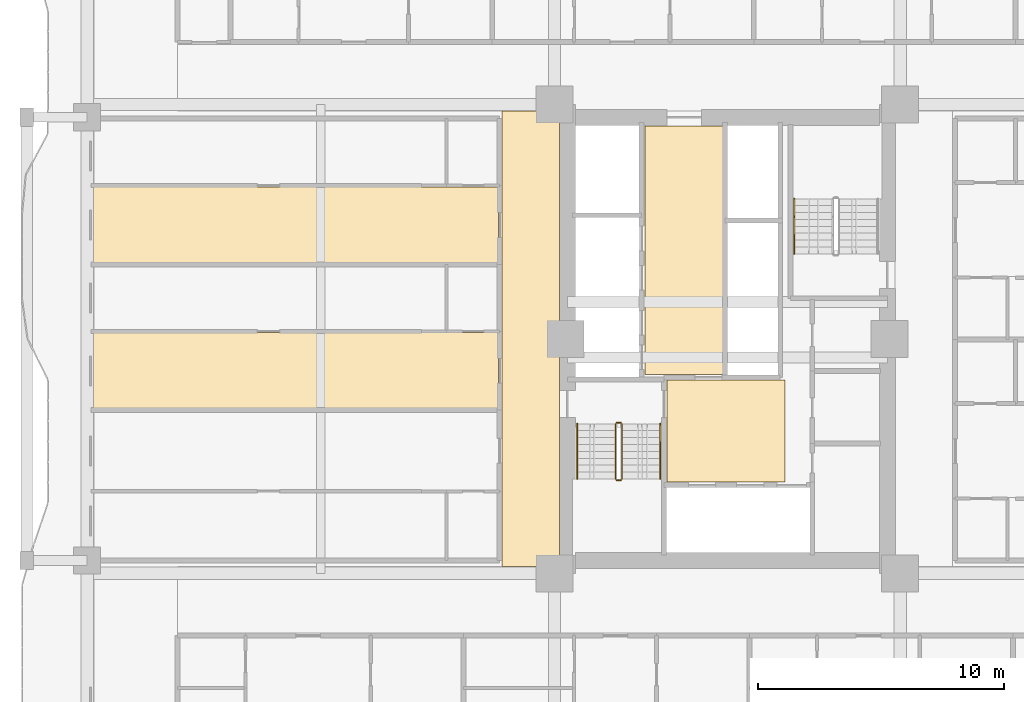
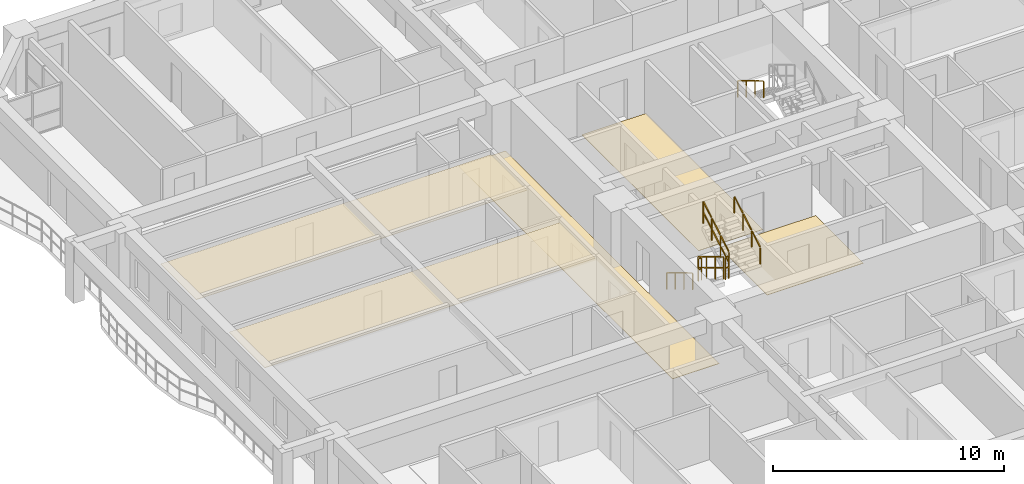
# One storey, part 24 of 27: 7 railings, 5 coverings.
"""IFC4 building model written with IfcOpenShell, lengths in metres."""

from ifc_helpers import new_model, si_unit, direction, frame, origin, origin_2d, place, context, subcontext, project, spatial, polyline, rectangle, outline, extrude, material, layer, layer_set, type_object, element, save


model = new_model("IFC4")

# Units and contexts
model_context = context("Model", 3, precision=1e-05, world=origin(), true_north=direction((0.0, 1.0)))
body_context = subcontext(model_context, "Body", "Model", "MODEL_VIEW")
ifc_project = project(units=[si_unit("LENGTHUNIT", "METRE"), si_unit("AREAUNIT", "SQUARE_METRE"), si_unit("VOLUMEUNIT", "CUBIC_METRE"), si_unit("PLANEANGLEUNIT", "RADIAN"), si_unit("MASSUNIT", "GRAM", prefix="KILO")], contexts=[model_context])

# Site, building, storey
site_placement = place(None, origin())
site = spatial("IfcSite", under=ifc_project, at=site_placement, CompositionType="ELEMENT")
building_placement = place(site_placement, origin())
building = spatial("IfcBuilding", under=site, at=building_placement, Name="Saelheon Loggia Tower", CompositionType="ELEMENT")
storey_placement = place(building_placement, frame((0.0, 0.0, 34.39990234375)))
storey = spatial("IfcBuildingStorey", under=building, at=storey_placement, Name="L10", CompositionType="ELEMENT", Elevation=34.39990234375)

# Coverings
ifc_material_1 = material(Name="Mineral-Fibre Acoustic Ceiling Board", Category="gypsum")
ifc_layer_1 = layer(ifc_material_1, 0.02490234375)
ifc_layer_set_1 = layer_set([ifc_layer_1], Name="Mineral-Fibre Acoustic Ceiling Board")
covering_type_1 = type_object("IfcCoveringType", Name="Cov_Ceiling_Acoustic", PredefinedType="CEILING", material=ifc_layer_set_1)
covering_1_placement = place(storey_placement, frame((0.0, 0.0, 2.53515625)))
element("IfcCovering", 1, at=covering_1_placement, inside=storey, type_object=covering_type_1, Name="L10 Acoustic Suspended Ceiling", PredefinedType="CEILING", context=body_context, shape_type="SweptSolid", body=[
    extrude(outline(polyline([(12.199951171875, 24.153076171875), (28.699951171875, 24.153076171875), (28.699951171875, 27.251708984375), (12.199951171875, 27.251708984375), (12.199951171875, 24.153076171875)])), origin(), (0.0, 0.0, 1.0), 0.02490234375),
])
covering_2_placement = place(storey_placement, frame((0.0, 0.0, 2.53515625)))
element("IfcCovering", 2, at=covering_2_placement, inside=storey, type_object=covering_type_1, Name="L10 Acoustic Suspended Ceiling", PredefinedType="CEILING", context=body_context, shape_type="SweptSolid", body=[
    extrude(outline(polyline([(12.199951171875, 30.076416015625), (28.699951171875, 30.076416015625), (28.699951171875, 33.17529296875), (12.199951171875, 33.17529296875), (12.199951171875, 30.076416015625)])), origin(), (0.0, 0.0, 1.0), 0.02490234375),
])
ifc_material_2 = material(Name="Vitrified Porcelain Floor Tile", Category="ceramic")
ifc_layer_2 = layer(ifc_material_2, 0.02001953125)
ifc_layer_set_2 = layer_set([ifc_layer_2], Name="Vitrified Porcelain Floor Tile")
covering_type_2 = type_object("IfcCoveringType", Name="Cov_Floor_Porcelain", PredefinedType="FLOORING", material=ifc_layer_set_2)
covering_3_placement = place(storey_placement, origin())
element("IfcCovering", 3, at=covering_3_placement, inside=storey, type_object=covering_type_2, Name="L10 Corridor Porcelain Flooring", PredefinedType="FLOORING", context=body_context, shape_type="SweptSolid", body=[
    extrude(outline(polyline([(35.550048828125, 21.179931640625), (40.35009765625, 21.179931640625), (40.35009765625, 25.320068359375), (35.550048828125, 25.320068359375), (35.550048828125, 21.179931640625)])), origin(), (0.0, 0.0, 1.0), 0.02001953125),
])
covering_4_placement = place(storey_placement, origin())
element("IfcCovering", 4, at=covering_4_placement, inside=storey, type_object=covering_type_2, Name="L10 Corridor Porcelain Flooring", PredefinedType="FLOORING", context=body_context, shape_type="SweptSolid", body=[
    extrude(outline(polyline([(34.64990234375, 25.550048828125), (37.85009765625, 25.550048828125), (37.85009765625, 35.64990234375), (34.64990234375, 35.64990234375), (34.64990234375, 25.550048828125)])), origin(), (0.0, 0.0, 1.0), 0.02001953125),
])
covering_5_placement = place(storey_placement, origin())
element("IfcCovering", 5, at=covering_5_placement, inside=storey, type_object=covering_type_2, Name="L10 Corridor Porcelain Flooring", PredefinedType="FLOORING", context=body_context, shape_type="SweptSolid", body=[
    extrude(outline(polyline([(28.85009765625, 17.75), (31.179931640625, 17.75), (31.179931640625, 36.25), (28.85009765625, 36.25), (28.85009765625, 17.75)])), origin(), (0.0, 0.0, 1.0), 0.02001953125),
])

# Railings
ifc_material_3 = material(Name="Galvanised Steel S275 Stairwell Guardrail", Category="steel")
railing_type_1 = type_object("IfcRailingType", Name="Guard_StairWell_RL_STG", PredefinedType="GUARDRAIL", material=ifc_material_3)
railing_1_placement = place(storey_placement, frame((33.4599609375, 23.550048828125, 0.166748046875)))
element("IfcRailing", 6, at=railing_1_placement, inside=storey, type_object=railing_type_1, Name="L10 ST1 stair guard 1", PredefinedType="GUARDRAIL", context=body_context, shape_type="SweptSolid", body=[
    extrude(rectangle(XDim=0.048095703125, YDim=0.048095703125, at=origin_2d()), frame((0.0, -0.028564453125, 1.19287109375), z_axis=(0.0, -0.859305625298, 0.511462454469), x_axis=(1.0, 0.0, 0.0)), (0.0, 0.0, 1.0), 0.802490234375),
    extrude(rectangle(XDim=0.048095703125, YDim=0.048095703125, at=origin_2d()), frame((0.0, -0.028564453125, 0.616943359375), z_axis=(0.0, -0.859305625298, 0.511462454469), x_axis=(1.0, 0.0, 0.0)), (0.0, 0.0, 1.0), 0.802490234375),
    extrude(rectangle(XDim=0.048095703125, YDim=0.048095703125, at=origin_2d()), frame((0.0, -0.775146484375, 1.63720703125), z_axis=(0.0, -0.859305625298, 0.511462454469), x_axis=(1.0, 0.0, 0.0)), (0.0, 0.0, 1.0), 0.802490234375),
    extrude(rectangle(XDim=0.048095703125, YDim=0.048095703125, at=origin_2d()), frame((0.0, -0.775146484375, 1.061279296875), z_axis=(0.0, -0.859305625298, 0.511462454469), x_axis=(1.0, 0.0, 0.0)), (0.0, 0.0, 1.0), 0.802490234375),
    extrude(rectangle(XDim=0.048095703125, YDim=0.048095703125, at=origin_2d()), frame((0.0, -1.52197265625, 2.081787109375), z_axis=(0.0, -0.859305625298, 0.511462454469), x_axis=(1.0, 0.0, 0.0)), (0.0, 0.0, 1.0), 0.802490234375),
    extrude(rectangle(XDim=0.048095703125, YDim=0.048095703125, at=origin_2d()), frame((0.0, -1.52197265625, 1.505859375), z_axis=(0.0, -0.859305625298, 0.511462454469), x_axis=(1.0, 0.0, 0.0)), (0.0, 0.0, 1.0), 0.802490234375),
    extrude(rectangle(XDim=0.0419921875, YDim=0.0419921875, at=origin_2d()), origin(), (0.0, 0.0, 1.0), 1.14794921875),
    extrude(rectangle(XDim=0.0419921875, YDim=0.0419921875, at=origin_2d()), frame((0.0, -0.74658203125, 0.4443359375)), (0.0, 0.0, 1.0), 1.14794921875),
    extrude(rectangle(XDim=0.0419921875, YDim=0.0419921875, at=origin_2d()), frame((0.0, -1.493408203125, 0.888916015625)), (0.0, 0.0, 1.0), 1.14794921875),
    extrude(rectangle(XDim=0.0419921875, YDim=0.0419921875, at=origin_2d()), frame((0.0, -2.239990234375, 1.333251953125)), (0.0, 0.0, 1.0), 1.14794921875),
])
railing_2_placement = place(storey_placement, frame((33.510009765625, 21.260009765625, 1.5)))
element("IfcRailing", 7, at=railing_2_placement, inside=storey, type_object=railing_type_1, Name="L10 ST1 stair guard 2", PredefinedType="GUARDRAIL", context=body_context, shape_type="SweptSolid", body=[
    extrude(rectangle(XDim=0.048095703125, YDim=0.048095703125, at=origin_2d()), frame((0.033203125, 0.0, 1.17578125), z_axis=(1.0, 0.0, 0.0), x_axis=(0.0, 1.0, 0.0)), (0.0, 0.0, 1.0), 0.093505859375),
    extrude(rectangle(XDim=0.048095703125, YDim=0.048095703125, at=origin_2d()), frame((0.033203125, 0.0, 0.60009765625), z_axis=(1.0, 0.0, 0.0), x_axis=(0.0, 1.0, 0.0)), (0.0, 0.0, 1.0), 0.093505859375),
    extrude(rectangle(XDim=0.0419921875, YDim=0.0419921875, at=origin_2d()), origin(), (0.0, 0.0, 1.0), 1.14794921875),
    extrude(rectangle(XDim=0.0419921875, YDim=0.0419921875, at=origin_2d()), frame((0.159912109375, 0.0, 0.0)), (0.0, 0.0, 1.0), 1.14794921875),
])
railing_3_placement = place(storey_placement, frame((33.719970703125, 21.31005859375, 1.666748046875)))
element("IfcRailing", 8, at=railing_3_placement, inside=storey, type_object=railing_type_1, Name="L10 ST1 stair guard 3", PredefinedType="GUARDRAIL", context=body_context, shape_type="SweptSolid", body=[
    extrude(rectangle(XDim=0.048095703125, YDim=0.048095703125, at=origin_2d()), frame((0.0, 0.028564453125, 1.19287109375), z_axis=(0.0, 0.859305625298, 0.511462454469), x_axis=(-1.0, 0.0, 0.0)), (0.0, 0.0, 1.0), 0.802490234375),
    extrude(rectangle(XDim=0.048095703125, YDim=0.048095703125, at=origin_2d()), frame((0.0, 0.028564453125, 0.616943359375), z_axis=(0.0, 0.859305625298, 0.511462454469), x_axis=(-1.0, 0.0, 0.0)), (0.0, 0.0, 1.0), 0.802490234375),
    extrude(rectangle(XDim=0.048095703125, YDim=0.048095703125, at=origin_2d()), frame((0.0, 0.775146484375, 1.63720703125), z_axis=(0.0, 0.859305625298, 0.511462454469), x_axis=(-1.0, 0.0, 0.0)), (0.0, 0.0, 1.0), 0.802490234375),
    extrude(rectangle(XDim=0.048095703125, YDim=0.048095703125, at=origin_2d()), frame((0.0, 0.775146484375, 1.061279296875), z_axis=(0.0, 0.859305625298, 0.511462454469), x_axis=(-1.0, 0.0, 0.0)), (0.0, 0.0, 1.0), 0.802490234375),
    extrude(rectangle(XDim=0.048095703125, YDim=0.048095703125, at=origin_2d()), frame((0.0, 1.52197265625, 2.081787109375), z_axis=(0.0, 0.859305625298, 0.511462454469), x_axis=(-1.0, 0.0, 0.0)), (0.0, 0.0, 1.0), 0.802490234375),
    extrude(rectangle(XDim=0.048095703125, YDim=0.048095703125, at=origin_2d()), frame((0.0, 1.52197265625, 1.505859375), z_axis=(0.0, 0.859305625298, 0.511462454469), x_axis=(-1.0, 0.0, 0.0)), (0.0, 0.0, 1.0), 0.802490234375),
    extrude(rectangle(XDim=0.0419921875, YDim=0.0419921875, at=origin_2d()), origin(), (0.0, 0.0, 1.0), 1.14794921875),
    extrude(rectangle(XDim=0.0419921875, YDim=0.0419921875, at=origin_2d()), frame((0.0, 0.74658203125, 0.4443359375)), (0.0, 0.0, 1.0), 1.14794921875),
    extrude(rectangle(XDim=0.0419921875, YDim=0.0419921875, at=origin_2d()), frame((0.0, 1.493408203125, 0.888916015625)), (0.0, 0.0, 1.0), 1.14794921875),
    extrude(rectangle(XDim=0.0419921875, YDim=0.0419921875, at=origin_2d()), frame((0.0, 2.239990234375, 1.333251953125)), (0.0, 0.0, 1.0), 1.14794921875),
])
railing_4_placement = place(storey_placement, frame((33.510009765625, 23.60009765625, 0.0)))
element("IfcRailing", 9, at=railing_4_placement, inside=storey, type_object=railing_type_1, Name="L10 ST1 stair guard 4", PredefinedType="GUARDRAIL", context=body_context, shape_type="SweptSolid", body=[
    extrude(rectangle(XDim=0.048095703125, YDim=0.048095703125, at=origin_2d()), frame((0.033203125, 0.0, 1.17578125), z_axis=(1.0, 0.0, 0.0), x_axis=(0.0, 1.0, 0.0)), (0.0, 0.0, 1.0), 0.093505859375),
    extrude(rectangle(XDim=0.048095703125, YDim=0.048095703125, at=origin_2d()), frame((0.033203125, 0.0, 0.60009765625), z_axis=(1.0, 0.0, 0.0), x_axis=(0.0, 1.0, 0.0)), (0.0, 0.0, 1.0), 0.093505859375),
    extrude(rectangle(XDim=0.0419921875, YDim=0.0419921875, at=origin_2d()), origin(), (0.0, 0.0, 1.0), 1.14794921875),
    extrude(rectangle(XDim=0.0419921875, YDim=0.0419921875, at=origin_2d()), frame((0.159912109375, 0.0, 0.0)), (0.0, 0.0, 1.0), 1.14794921875),
])
ifc_material_4 = material(Name="Stainless Steel 304 Tubular Handrail", Category="steel")
railing_type_2 = type_object("IfcRailingType", Name="Handrail_Stair_RL_HR1", PredefinedType="HANDRAIL", material=ifc_material_4)
railing_5_placement = place(storey_placement, frame((31.89990234375, 23.550048828125, 0.166748046875)))
element("IfcRailing", 10, at=railing_5_placement, inside=storey, type_object=railing_type_2, Name="L10 ST1 stair handrail 1", PredefinedType="HANDRAIL", context=body_context, shape_type="SweptSolid", body=[
    extrude(rectangle(XDim=0.048095703125, YDim=0.048095703125, at=origin_2d()), frame((0.0, -0.028564453125, 0.892822265625), z_axis=(0.0, -0.859305625298, 0.511462454469), x_axis=(1.0, 0.0, 0.0)), (0.0, 0.0, 1.0), 0.802490234375),
    extrude(rectangle(XDim=0.048095703125, YDim=0.048095703125, at=origin_2d()), frame((0.0, -0.775146484375, 1.337158203125), z_axis=(0.0, -0.859305625298, 0.511462454469), x_axis=(1.0, 0.0, 0.0)), (0.0, 0.0, 1.0), 0.802490234375),
    extrude(rectangle(XDim=0.048095703125, YDim=0.048095703125, at=origin_2d()), frame((0.0, -1.52197265625, 1.78173828125), z_axis=(0.0, -0.859305625298, 0.511462454469), x_axis=(1.0, 0.0, 0.0)), (0.0, 0.0, 1.0), 0.802490234375),
    extrude(rectangle(XDim=0.0419921875, YDim=0.0419921875, at=origin_2d()), origin(), (0.0, 0.0, 1.0), 0.847900390625),
    extrude(rectangle(XDim=0.0419921875, YDim=0.0419921875, at=origin_2d()), frame((0.0, -0.74658203125, 0.4443359375)), (0.0, 0.0, 1.0), 0.847900390625),
    extrude(rectangle(XDim=0.0419921875, YDim=0.0419921875, at=origin_2d()), frame((0.0, -1.493408203125, 0.888916015625)), (0.0, 0.0, 1.0), 0.847900390625),
    extrude(rectangle(XDim=0.0419921875, YDim=0.0419921875, at=origin_2d()), frame((0.0, -2.239990234375, 1.333251953125)), (0.0, 0.0, 1.0), 0.847900390625),
])
railing_6_placement = place(storey_placement, frame((35.280029296875, 21.31005859375, 1.666748046875)))
element("IfcRailing", 11, at=railing_6_placement, inside=storey, type_object=railing_type_2, Name="L10 ST1 stair handrail 2", PredefinedType="HANDRAIL", context=body_context, shape_type="SweptSolid", body=[
    extrude(rectangle(XDim=0.048095703125, YDim=0.048095703125, at=origin_2d()), frame((0.0, 0.028564453125, 0.892822265625), z_axis=(0.0, 0.859305625298, 0.511462454469), x_axis=(-1.0, 0.0, 0.0)), (0.0, 0.0, 1.0), 0.802490234375),
    extrude(rectangle(XDim=0.048095703125, YDim=0.048095703125, at=origin_2d()), frame((0.0, 0.775146484375, 1.337158203125), z_axis=(0.0, 0.859305625298, 0.511462454469), x_axis=(-1.0, 0.0, 0.0)), (0.0, 0.0, 1.0), 0.802490234375),
    extrude(rectangle(XDim=0.048095703125, YDim=0.048095703125, at=origin_2d()), frame((0.0, 1.52197265625, 1.78173828125), z_axis=(0.0, 0.859305625298, 0.511462454469), x_axis=(-1.0, 0.0, 0.0)), (0.0, 0.0, 1.0), 0.802490234375),
    extrude(rectangle(XDim=0.0419921875, YDim=0.0419921875, at=origin_2d()), origin(), (0.0, 0.0, 1.0), 0.847900390625),
    extrude(rectangle(XDim=0.0419921875, YDim=0.0419921875, at=origin_2d()), frame((0.0, 0.74658203125, 0.4443359375)), (0.0, 0.0, 1.0), 0.847900390625),
    extrude(rectangle(XDim=0.0419921875, YDim=0.0419921875, at=origin_2d()), frame((0.0, 1.493408203125, 0.888916015625)), (0.0, 0.0, 1.0), 0.847900390625),
    extrude(rectangle(XDim=0.0419921875, YDim=0.0419921875, at=origin_2d()), frame((0.0, 2.239990234375, 1.333251953125)), (0.0, 0.0, 1.0), 0.847900390625),
])
railing_7_placement = place(storey_placement, frame((40.719970703125, 32.68994140625, 1.666748046875)))
element("IfcRailing", 12, at=railing_7_placement, inside=storey, type_object=railing_type_2, Name="L10 ST2 stair handrail 2", PredefinedType="HANDRAIL", context=body_context, shape_type="SweptSolid", body=[
    extrude(rectangle(XDim=0.048095703125, YDim=0.048095703125, at=origin_2d()), frame((0.0, -0.028564453125, 0.892822265625), z_axis=(0.0, -0.859305625298, 0.511462454469), x_axis=(1.0, 0.0, 0.0)), (0.0, 0.0, 1.0), 0.802490234375),
    extrude(rectangle(XDim=0.048095703125, YDim=0.048095703125, at=origin_2d()), frame((0.0, -0.775146484375, 1.337158203125), z_axis=(0.0, -0.859305625298, 0.511462454469), x_axis=(1.0, 0.0, 0.0)), (0.0, 0.0, 1.0), 0.802490234375),
    extrude(rectangle(XDim=0.048095703125, YDim=0.048095703125, at=origin_2d()), frame((0.0, -1.52197265625, 1.78173828125), z_axis=(0.0, -0.859305625298, 0.511462454469), x_axis=(1.0, 0.0, 0.0)), (0.0, 0.0, 1.0), 0.802490234375),
    extrude(rectangle(XDim=0.0419921875, YDim=0.0419921875, at=origin_2d()), origin(), (0.0, 0.0, 1.0), 0.847900390625),
    extrude(rectangle(XDim=0.0419921875, YDim=0.0419921875, at=origin_2d()), frame((0.0, -0.74658203125, 0.4443359375)), (0.0, 0.0, 1.0), 0.847900390625),
    extrude(rectangle(XDim=0.0419921875, YDim=0.0419921875, at=origin_2d()), frame((0.0, -1.493408203125, 0.888916015625)), (0.0, 0.0, 1.0), 0.847900390625),
    extrude(rectangle(XDim=0.0419921875, YDim=0.0419921875, at=origin_2d()), frame((0.0, -2.239990234375, 1.333251953125)), (0.0, 0.0, 1.0), 0.847900390625),
])

save(model, "model.ifc")
